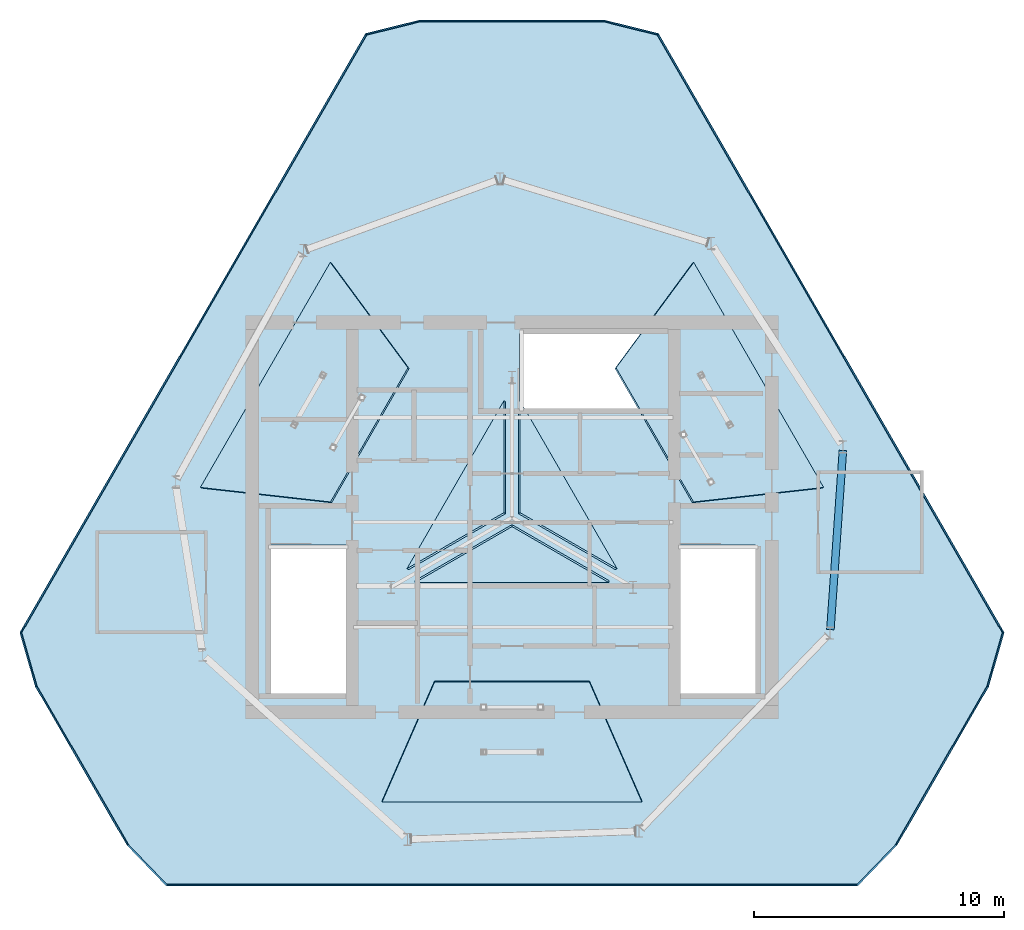
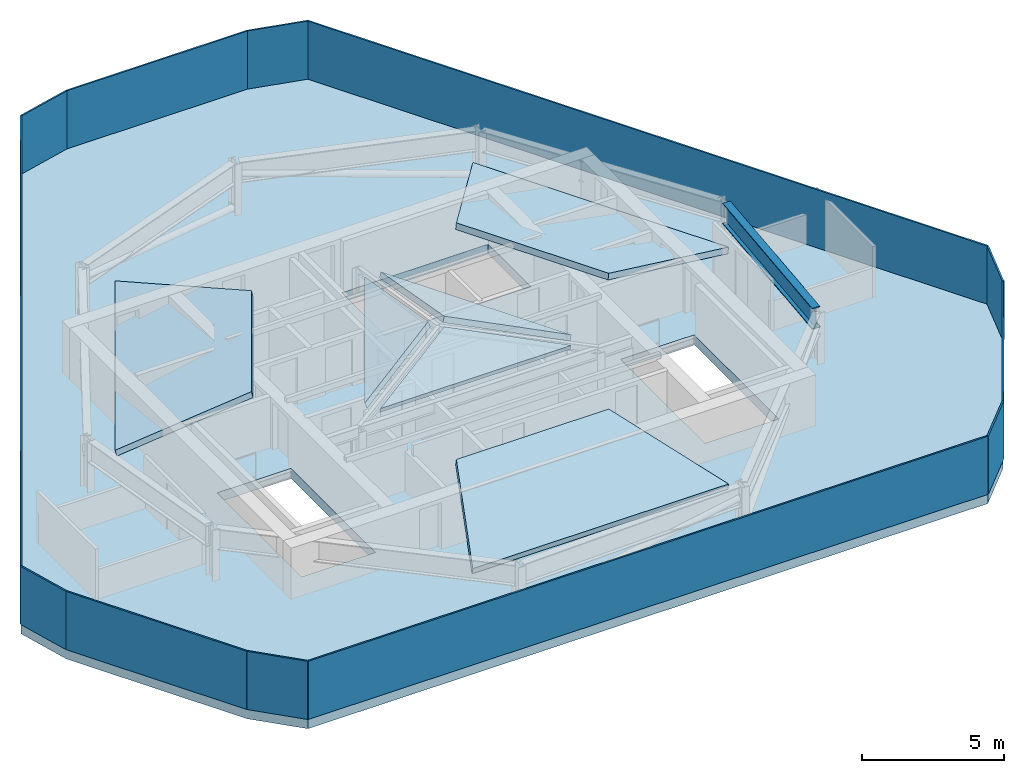
# One storey, part 4 of 9: 12 plates, 7 slabs, 1 beam.
"""IFC4 building model written with IfcOpenShell, lengths in metres."""

from ifc_helpers import new_model, si_unit, direction, frame, origin, origin_2d, place, context, subcontext, project, spatial, polyline, rectangle, i_section, outline, extrude, material, layer, layer_set, material_profile, profile_set, type_object, element, save


model = new_model("IFC4")

# Units and contexts
model_context = context("Model", 3, precision=1e-05, world=origin(), true_north=direction((0.0, 1.0)))
body_context = subcontext(model_context, "Body", "Model", "MODEL_VIEW")
ifc_project = project(units=[si_unit("LENGTHUNIT", "METRE"), si_unit("AREAUNIT", "SQUARE_METRE"), si_unit("VOLUMEUNIT", "CUBIC_METRE"), si_unit("PLANEANGLEUNIT", "RADIAN"), si_unit("MASSUNIT", "GRAM", prefix="KILO")], contexts=[model_context])

# Site, building, storey
site_placement = place(None, origin())
site = spatial("IfcSite", under=ifc_project, at=site_placement, CompositionType="ELEMENT")
building_placement = place(site_placement, origin())
building = spatial("IfcBuilding", under=site, at=building_placement, Name="Qarnah Convention Tower", CompositionType="ELEMENT")
storey_placement = place(building_placement, frame((0.0, 0.0, 292.89990234375)))
storey = spatial("IfcBuildingStorey", under=building, at=storey_placement, Name="L79", CompositionType="ELEMENT", Elevation=292.89990234375)

# Beam
ifc_material_1 = material(Name="Structural steel S355JR", Category="steel")
ifc_material_profile = material_profile(ifc_material_1, i_section(OverallWidth=0.300048828125, OverallDepth=0.89990234375, WebThickness=0.01904296875, FlangeThickness=0.034912109375, at=origin_2d()), Name="HEB900")
ifc_profile_set = profile_set([ifc_material_profile], Name="Structural steel S355JR")
beam_type = type_object("IfcBeamType", Name="BM-RING-HEB900", PredefinedType="BEAM", material=ifc_profile_set)
beam_placement = place(storey_placement, frame((49.943115234375, 21.906005859375, 1.75), z_axis=(0.069692584583, 0.997568515769, 0.0), x_axis=(-0.997568515769, 0.069692584583, 0.0)))
element("IfcBeam", 1, at=beam_placement, inside=storey, type_object=beam_type, Name="L79 CROWN FRAME top ring cap beam 09", PredefinedType="BEAM", context=body_context, shape_type="SweptSolid", body=[
    extrude(i_section(OverallWidth=0.300048828125, OverallDepth=0.89990234375, WebThickness=0.01904296875, FlangeThickness=0.034912109375, at=origin_2d()), origin(), (0.0, 0.0, 1.0), 7.1884765625),
])

# Plates
ifc_material_2 = material(Name="Black anodised aluminium", Category="aluminium")
ifc_layer_1 = layer(ifc_material_2, 0.06494140625)
ifc_layer_set_1 = layer_set([ifc_layer_1], Name="Black anodised aluminium")
plate_type = type_object("IfcPlateType", Name="SCR-CRN-30", PredefinedType="USERDEFINED", material=ifc_layer_set_1)
plate_1_placement = place(storey_placement, frame((37.199951171875, 46.27197265625, 0.0), z_axis=(0.0, 0.0, 1.0), x_axis=(1.0, 0.0, 0.0)))
element("IfcPlate", 2, at=plate_1_placement, inside=storey, type_object=plate_type, Name="L79 ring crown perforated screen panel 01", ObjectType="SCREEN", PredefinedType="USERDEFINED", context=body_context, shape_type="SweptSolid", body=[
    extrude(rectangle(XDim=7.343994140625, YDim=0.06494140625, at=origin_2d()), origin(), (0.0, 0.0, 1.0), 2.5),
])
plate_2_placement = place(storey_placement, frame((41.9541015625, 46.001953125, 0.0), z_axis=(0.0, 0.0, 1.0), x_axis=(0.970353122678, -0.241691574757, 0.0)))
element("IfcPlate", 3, at=plate_2_placement, inside=storey, type_object=plate_type, Name="L79 ring crown perforated screen panel 02", ObjectType="SCREEN", PredefinedType="USERDEFINED", context=body_context, shape_type="SweptSolid", body=[
    extrude(rectangle(XDim=2.22998046875, YDim=0.06494140625, at=origin_2d()), origin(), (0.0, 0.0, 1.0), 2.5),
])
plate_3_placement = place(storey_placement, frame((49.947998046875, 33.760009765625, 0.0), z_axis=(0.0, 0.0, 1.0), x_axis=(0.499966746643, -0.866044601768, 0.0)))
element("IfcPlate", 4, at=plate_3_placement, inside=storey, type_object=plate_type, Name="L79 ring crown perforated screen panel 03", ObjectType="SCREEN", PredefinedType="USERDEFINED", context=body_context, shape_type="SweptSolid", body=[
    extrude(rectangle(XDim=27.64990234375, YDim=0.06494140625, at=origin_2d()), origin(), (0.0, 0.0, 1.0), 2.5),
])
plate_4_placement = place(storey_placement, frame((56.552978515625, 20.716064453125, 0.0), z_axis=(0.0, 0.0, 1.0), x_axis=(-0.275432667955, -0.961320365655, 0.0)))
element("IfcPlate", 5, at=plate_4_placement, inside=storey, type_object=plate_type, Name="L79 ring crown perforated screen panel 04", ObjectType="SCREEN", PredefinedType="USERDEFINED", context=body_context, shape_type="SweptSolid", body=[
    extrude(rectangle(XDim=2.22900390625, YDim=0.06494140625, at=origin_2d()), origin(), (0.0, 0.0, 1.0), 2.5),
])
plate_5_placement = place(storey_placement, frame((54.409912109375, 16.464111328125, 0.0), z_axis=(0.0, 0.0, 1.0), x_axis=(-0.500006045986, -0.866021913105, 0.0)))
element("IfcPlate", 6, at=plate_5_placement, inside=storey, type_object=plate_type, Name="L79 ring crown perforated screen panel 05", ObjectType="SCREEN", PredefinedType="USERDEFINED", context=body_context, shape_type="SweptSolid", body=[
    extrude(rectangle(XDim=7.343994140625, YDim=0.06494140625, at=origin_2d()), origin(), (0.0, 0.0, 1.0), 2.5),
])
plate_6_placement = place(storey_placement, frame((51.799072265625, 12.48193359375, 0.0), z_axis=(0.0, 0.0, 1.0), x_axis=(-0.694667158801, -0.719331313432, 0.0)))
element("IfcPlate", 7, at=plate_6_placement, inside=storey, type_object=plate_type, Name="L79 ring crown perforated screen panel 06", ObjectType="SCREEN", PredefinedType="USERDEFINED", context=body_context, shape_type="SweptSolid", body=[
    extrude(rectangle(XDim=2.22998046875, YDim=0.06494140625, at=origin_2d()), origin(), (0.0, 0.0, 1.0), 2.5),
])
plate_7_placement = place(storey_placement, frame((37.199951171875, 11.679931640625, 0.0), z_axis=(0.0, 0.0, 1.0), x_axis=(-1.0, 0.0, 0.0)))
element("IfcPlate", 8, at=plate_7_placement, inside=storey, type_object=plate_type, Name="L79 ring crown perforated screen panel 07", ObjectType="SCREEN", PredefinedType="USERDEFINED", context=body_context, shape_type="SweptSolid", body=[
    extrude(rectangle(XDim=27.64990234375, YDim=0.06494140625, at=origin_2d()), origin(), (0.0, 0.0, 1.0), 2.5),
])
plate_8_placement = place(storey_placement, frame((22.60009765625, 12.48193359375, 0.0), z_axis=(0.0, 0.0, 1.0), x_axis=(-0.694667158801, 0.719331313432, 0.0)))
element("IfcPlate", 9, at=plate_8_placement, inside=storey, type_object=plate_type, Name="L79 ring crown perforated screen panel 08", ObjectType="SCREEN", PredefinedType="USERDEFINED", context=body_context, shape_type="SweptSolid", body=[
    extrude(rectangle(XDim=2.22998046875, YDim=0.06494140625, at=origin_2d()), origin(), (0.0, 0.0, 1.0), 2.5),
])
plate_9_placement = place(storey_placement, frame((19.989990234375, 16.464111328125, 0.0), z_axis=(0.0, 0.0, 1.0), x_axis=(-0.500006045986, 0.866021913105, 0.0)))
element("IfcPlate", 10, at=plate_9_placement, inside=storey, type_object=plate_type, Name="L79 ring crown perforated screen panel 09", ObjectType="SCREEN", PredefinedType="USERDEFINED", context=body_context, shape_type="SweptSolid", body=[
    extrude(rectangle(XDim=7.343994140625, YDim=0.06494140625, at=origin_2d()), origin(), (0.0, 0.0, 1.0), 2.5),
])
plate_10_placement = place(storey_placement, frame((17.846923828125, 20.716064453125, 0.0), z_axis=(0.0, 0.0, 1.0), x_axis=(-0.275432667955, 0.961320365655, 0.0)))
element("IfcPlate", 11, at=plate_10_placement, inside=storey, type_object=plate_type, Name="L79 ring crown perforated screen panel 10", ObjectType="SCREEN", PredefinedType="USERDEFINED", context=body_context, shape_type="SweptSolid", body=[
    extrude(rectangle(XDim=2.22900390625, YDim=0.06494140625, at=origin_2d()), origin(), (0.0, 0.0, 1.0), 2.5),
])
plate_11_placement = place(storey_placement, frame((24.451904296875, 33.760009765625, 0.0), z_axis=(0.0, 0.0, 1.0), x_axis=(0.499966746643, 0.866044601768, 0.0)))
element("IfcPlate", 12, at=plate_11_placement, inside=storey, type_object=plate_type, Name="L79 ring crown perforated screen panel 11", ObjectType="SCREEN", PredefinedType="USERDEFINED", context=body_context, shape_type="SweptSolid", body=[
    extrude(rectangle(XDim=27.64990234375, YDim=0.06494140625, at=origin_2d()), origin(), (0.0, 0.0, 1.0), 2.5),
])
plate_12_placement = place(storey_placement, frame((32.446044921875, 46.001953125, 0.0), z_axis=(0.0, 0.0, 1.0), x_axis=(0.970353122678, 0.241691574757, 0.0)))
element("IfcPlate", 13, at=plate_12_placement, inside=storey, type_object=plate_type, Name="L79 ring crown perforated screen panel 12", ObjectType="SCREEN", PredefinedType="USERDEFINED", context=body_context, shape_type="SweptSolid", body=[
    extrude(rectangle(XDim=2.22998046875, YDim=0.06494140625, at=origin_2d()), origin(), (0.0, 0.0, 1.0), 2.5),
])

# Slabs
ifc_material_3 = material(Name="Concrete C45/55", Category="concrete")
ifc_layer_2 = layer(ifc_material_3, 0.300048828125)
ifc_layer_set_2 = layer_set([ifc_layer_2], Name="Concrete C45/55")
slab_type_1 = type_object("IfcSlabType", Name="SLB-ROOF-300", PredefinedType="ROOF", material=ifc_layer_set_2)
slab_1_placement = place(storey_placement, frame((36.876953125, 31.06689453125, 2.527099609375), z_axis=(-0.291285479722, 0.16817834128, 0.941737126181), x_axis=(-0.500010237414, -0.86601949313, 0.0)))
element("IfcSlab", 14, at=slab_1_placement, inside=storey, type_object=slab_type_1, Name="L79 sloped crown apex cap roof facet 1", PredefinedType="ROOF", context=body_context, shape_type="SweptSolid", body=[
    extrude(outline(polyline([(0.0, 0.0), (7.7596067483855915, 0.0), (3.8797504147791644, 2.378621417289131), (0.0, 0.0)])), origin(), (0.0, 0.0, -1.0), 0.239990234375),
])
slab_2_placement = place(storey_placement, frame((33.320068359375, 23.787109375, 2.527099609375), z_axis=(0.0, -0.336355903438, 0.941734944781), x_axis=(1.0, 0.0, 0.0)))
element("IfcSlab", 15, at=slab_2_placement, inside=storey, type_object=slab_type_1, Name="L79 sloped crown apex cap roof facet 2", PredefinedType="ROOF", context=body_context, shape_type="SweptSolid", body=[
    extrude(outline(polyline([(0.0, 0.0), (7.760009765625, 0.0), (3.8798828125, 2.37857822605849), (0.0, 0.0)])), origin(), (0.0, 0.0, -1.0), 0.239990234375),
])
slab_3_placement = place(storey_placement, frame((41.403076171875, 24.346923828125, 2.527099609375), z_axis=(0.29126870675, 0.168179239105, 0.941742153672), x_axis=(-0.500033833797, 0.866005868952, 0.0)))
element("IfcSlab", 16, at=slab_3_placement, inside=storey, type_object=slab_type_1, Name="L79 sloped crown apex cap roof facet 3", PredefinedType="ROOF", context=body_context, shape_type="SweptSolid", body=[
    extrude(outline(polyline([(0.0, 0.0), (7.759728824077902, 0.0), (3.8800394453514917, 2.378720969841385), (0.0, 0.0)])), origin(), (0.0, 0.0, -1.0), 0.239990234375),
])
ifc_material_4 = material(Name="Tempered Low-E dark glass", Category="glass")
ifc_layer_3 = layer(ifc_material_4, 0.260009765625)
ifc_layer_set_3 = layer_set([ifc_layer_3], Name="Tempered Low-E dark glass")
slab_type_2 = type_object("IfcSlabType", Name="SLB-ROOF-GLASS-260", PredefinedType="ROOF", material=ifc_layer_set_3)
slab_4_placement = place(storey_placement, frame((29.927001953125, 36.60302734375, 1.43017578125), z_axis=(-0.18503342549, 0.106825105425, 0.976908915049), x_axis=(-0.500018279384, -0.866014849882, -8.155728e-06)))
element("IfcSlab", 17, at=slab_4_placement, inside=storey, type_object=slab_type_2, Name="L79 sloped solar-control dark-glass crown roof facet 1", PredefinedType="ROOF", context=body_context, shape_type="SweptSolid", body=[
    extrude(outline(polyline([(0.0, 0.0), (10.399490021943356, 0.0), (8.29991835929555, 4.913839997620871), (2.0993337080911965, 4.913206336169393), (0.0, 0.0)])), origin(), (0.0, 0.0, -1.0), 0.260009765625),
])
slab_5_placement = place(storey_placement, frame((32.0, 15.0, 1.43017578125), z_axis=(0.0, -0.213656869191, 0.976908768641), x_axis=(1.0, 0.0, 0.0)))
element("IfcSlab", 18, at=slab_5_placement, inside=storey, type_object=slab_type_2, Name="L79 sloped solar-control dark-glass crown roof facet 2", PredefinedType="ROOF", context=body_context, shape_type="SweptSolid", body=[
    extrude(outline(polyline([(0.0, 0.0), (10.39990234375, 0.0), (8.300048828125, 4.913507772893125), (2.10009765625, 4.913507772893125), (0.0, 0.0)])), origin(), (0.0, 0.0, -1.0), 0.260009765625),
])
slab_6_placement = place(storey_placement, frame((49.673095703125, 27.596923828125, 1.43017578125), z_axis=(0.185030704216, 0.106829818832, 0.976908915051), x_axis=(-0.500036089103, 0.8660045667, 7.082269e-06)))
element("IfcSlab", 19, at=slab_6_placement, inside=storey, type_object=slab_type_2, Name="L79 sloped solar-control dark-glass crown roof facet 3", PredefinedType="ROOF", context=body_context, shape_type="SweptSolid", body=[
    extrude(outline(polyline([(0.0, 0.0), (10.399612099334078, 0.0), (8.300375972578372, 4.913248030140574), (2.0996692566231774, 4.913798296985474), (0.0, 0.0)])), origin(), (0.0, 0.0, -1.0), 0.260009765625),
])
ifc_material_5 = material(Name="Concrete C50/60", Category="concrete")
ifc_layer_4 = layer(ifc_material_5, 0.419921875)
ifc_layer_set_4 = layer_set([ifc_layer_4], Name="Concrete C50/60")
slab_type_3 = type_object("IfcSlabType", Name="SLB-TRF-420", PredefinedType="FLOOR", material=ifc_layer_set_4)
slab_7_placement = place(storey_placement, frame((0.0, 0.0, -0.419921875)))
element("IfcSlab", 20, at=slab_7_placement, inside=storey, type_object=slab_type_3, Name="L79 structural floor slab", PredefinedType="FLOOR", context=body_context, shape_type="SweptSolid", body=[
    extrude(outline(polyline([(31.364013671875, 45.73291015625), (17.5400390625, 21.787109375), (18.154052734375, 19.64404296875), (21.825927734375, 13.283935546875), (23.375, 11.679931640625), (51.02490234375, 11.679931640625), (52.573974609375, 13.283935546875), (56.24609375, 19.64404296875), (56.860107421875, 21.787109375), (43.035888671875, 45.73291015625), (40.8720703125, 46.27197265625), (33.528076171875, 46.27197265625), (31.364013671875, 45.73291015625)]), holes=[polyline([(27.550048828125, 25.300048828125), (27.550048828125, 19.35009765625), (30.550048828125, 19.35009765625), (30.550048828125, 25.300048828125), (27.550048828125, 25.300048828125)]), polyline([(43.949951171875, 25.300048828125), (43.949951171875, 19.35009765625), (46.949951171875, 19.35009765625), (46.949951171875, 25.300048828125), (43.949951171875, 25.300048828125)]), polyline([(37.5, 30.75), (43.449951171875, 30.75), (43.449951171875, 33.75), (37.5, 33.75), (37.5, 30.75)])]), origin(), (0.0, 0.0, 1.0), 0.419921875),
])

save(model, "model.ifc")
